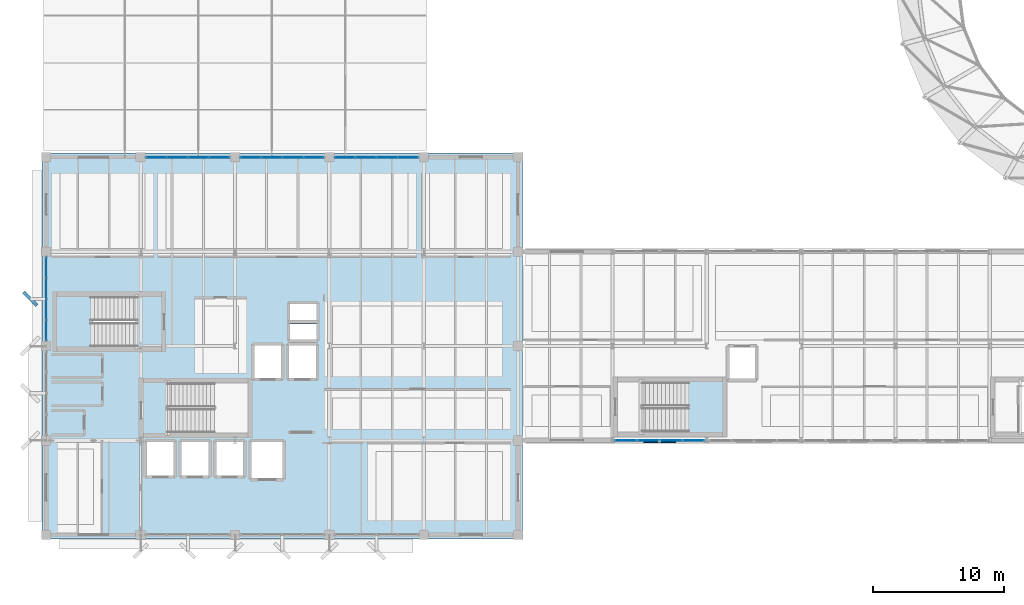
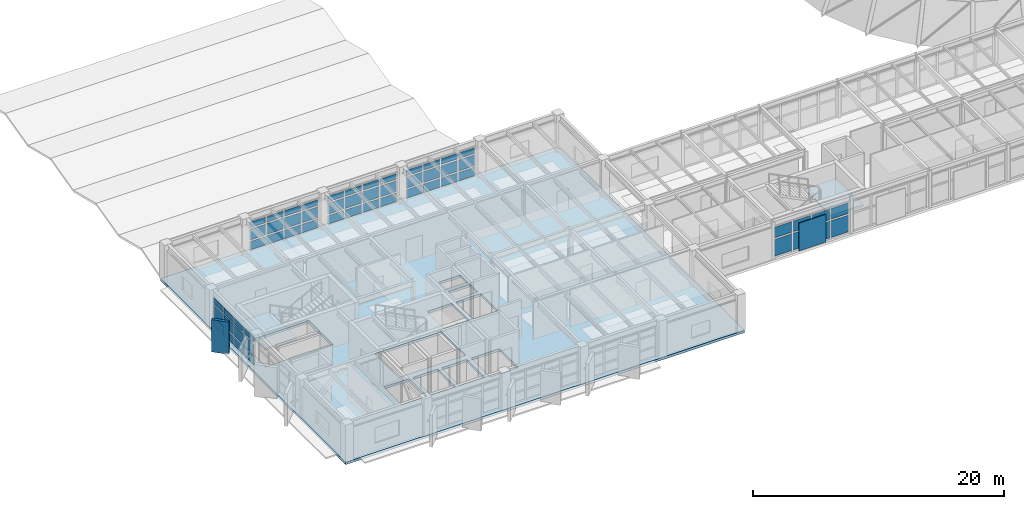
# One storey, part 27 of 48: 58 plates, 3 slabs, 7 elements without a shape of their own.
"""IFC4 building model written with IfcOpenShell, lengths in metres."""

import ifcopenshell
import ifcopenshell.guid

model = None  # the IFC model being written
_history = None  # IfcOwnerHistory: only IFC2X3 demands one
_inside = {}  # id of a spatial element -> (the spatial element, [elements in it])
_under = {}  # id of a project, library or spatial element -> (it, [spatial elements below it])
_declared = {}  # id of a project -> (the project, [libraries it declares])
_typed = {}  # id of a type object -> (the type object, [elements of that type])
_made_of = {}  # id of a material, layer set ... -> (it, [elements and type objects made of it])


def new_model(schema):
    """Start an empty IFC model of exactly this schema.

    Asked for "IFC4X3", IfcOpenShell would pick the latest addendum, in which some entities
    have other attributes; the version numbers below select the first issue.
    IFC2X3 requires an IfcOwnerHistory on every rooted entity: one is made here for all.
    """
    global model, _history
    if schema == "IFC4X3":
        model = ifcopenshell.file(schema_version=(4, 3, 0, 0))
    else:
        model = ifcopenshell.file(schema=schema)
    _inside.clear()
    _under.clear()
    _declared.clear()
    _typed.clear()
    _made_of.clear()
    _history = None
    if model.schema == "IFC2X3":
        org = make("IfcOrganization", Name="unknown")
        user = make(
            "IfcPersonAndOrganization",
            ThePerson=make("IfcPerson", FamilyName="unknown"),
            TheOrganization=org,
        )
        app = make(
            "IfcApplication",
            ApplicationDeveloper=org,
            Version="unknown",
            ApplicationFullName="unknown",
            ApplicationIdentifier="unknown",
        )
        _history = make(
            "IfcOwnerHistory",
            OwningUser=user,
            OwningApplication=app,
            ChangeAction="ADDED",
            CreationDate=0,
        )
    return model


def make(cls, **values):
    """One entity of the class cls with the attributes given. An attribute that is None is left unset."""
    return model.create_entity(
        cls, **{name: value for name, value in values.items() if value is not None}
    )


def rooted(cls, **values):
    """An entity with a GlobalId (a new one), such as an element, a storey or a relation."""
    return make(cls, GlobalId=ifcopenshell.guid.new(), OwnerHistory=_history, **values)


def si_unit(unit_type, name, prefix=None):
    """IfcSIUnit, for example si_unit("LENGTHUNIT", "METRE", prefix="MILLI")."""
    return make("IfcSIUnit", UnitType=unit_type, Prefix=prefix, Name=name)


def assignment(units):
    """IfcUnitAssignment: the units of a project."""
    return None if units is None else make("IfcUnitAssignment", Units=units)


def point(xyz):
    """IfcCartesianPoint."""
    return None if xyz is None else make("IfcCartesianPoint", Coordinates=xyz)


def direction(xyz):
    """IfcDirection."""
    return None if xyz is None else make("IfcDirection", DirectionRatios=xyz)


def frame(location, z_axis=None, x_axis=None):
    """IfcAxis2Placement3D, a coordinate frame: its origin and axes. An axis left out is left unset."""
    return make(
        "IfcAxis2Placement3D",
        Location=point(location),
        Axis=direction(z_axis),
        RefDirection=direction(x_axis),
    )


def frame_2d(location, x_axis=None):
    """IfcAxis2Placement2D, a coordinate frame in the plane: its origin and x axis."""
    return make(
        "IfcAxis2Placement2D", Location=point(location), RefDirection=direction(x_axis)
    )


def origin():
    """The frame at (0, 0, 0) with its axes left unset."""
    return frame((0.0, 0.0, 0.0))


def origin_2d():
    """The frame at (0, 0) in the plane with its x axis left unset."""
    return frame_2d((0.0, 0.0))


def place(relative_to, where):
    """IfcLocalPlacement: puts the frame where relative to a parent placement (None: the world)."""
    return make(
        "IfcLocalPlacement", PlacementRelTo=relative_to, RelativePlacement=where
    )


def context(
    kind, dimensions, precision=None, world=None, true_north=None, identifier=None
):
    """IfcGeometricRepresentationContext, for example the 3D "Model" context."""
    return make(
        "IfcGeometricRepresentationContext",
        ContextIdentifier=identifier,
        ContextType=kind,
        CoordinateSpaceDimension=dimensions,
        Precision=precision,
        WorldCoordinateSystem=world,
        TrueNorth=true_north,
    )


def subcontext(parent, identifier, kind, view, scale=None):
    """IfcGeometricRepresentationSubContext, for example "Body" below "Model"."""
    return make(
        "IfcGeometricRepresentationSubContext",
        ContextIdentifier=identifier,
        ContextType=kind,
        ParentContext=parent,
        TargetScale=scale,
        TargetView=view,
    )


def project(units=None, contexts=None):
    """IfcProject with its units and contexts."""
    return rooted(
        "IfcProject",
        Name="project",
        RepresentationContexts=contexts,
        UnitsInContext=assignment(units),
    )


def spatial(cls, under=None, at=None, **own):
    """A site, building, storey or space (cls), placed at a placement, below another one or the project."""
    s = rooted(cls, ObjectPlacement=at, **own)
    if under is not None:
        _under.setdefault(under.id(), (under, []))[1].append(s)
    return s


def polyline(points):
    """IfcPolyline through the points."""
    return make("IfcPolyline", Points=[point(p) for p in points])


def profile(cls, at=None, kind="AREA", **sizes):
    """A parametric profile (cls). Its sizes go by their IFC names, for example OverallWidth=200.0."""
    return make(cls, ProfileType=kind, Position=at, **sizes)


def rectangle(**sizes):
    """IfcRectangleProfileDef."""
    return profile("IfcRectangleProfileDef", **sizes)


def outline(outer, holes=None, kind="AREA"):
    """IfcArbitraryClosedProfileDef: a profile drawn as a closed curve; with holes, ...WithVoids."""
    if holes is None:
        return make("IfcArbitraryClosedProfileDef", ProfileType=kind, OuterCurve=outer)
    return make(
        "IfcArbitraryProfileDefWithVoids",
        ProfileType=kind,
        OuterCurve=outer,
        InnerCurves=holes,
    )


def extrude(swept, where, along, depth):
    """IfcExtrudedAreaSolid: the profile swept, set in the frame where, extruded along a direction by depth."""
    return make(
        "IfcExtrudedAreaSolid",
        SweptArea=swept,
        Position=where,
        ExtrudedDirection=direction(along),
        Depth=depth,
    )


def shape(context_of_items, identifier, shape_type, items):
    """IfcShapeRepresentation: the items that make up one representation, for example the "Body"."""
    return make(
        "IfcShapeRepresentation",
        ContextOfItems=context_of_items,
        RepresentationIdentifier=identifier,
        RepresentationType=shape_type,
        Items=items,
    )


def material(Name=None, Category=None):
    """IfcMaterial."""
    return make("IfcMaterial", Name=Name, Category=Category)


def layer(
    of_material, thickness, ventilated=None, Name=None, Category=None, Priority=None
):
    """IfcMaterialLayer: one layer of a wall or slab, of a material (None: an air gap)."""
    return make(
        "IfcMaterialLayer",
        Material=of_material,
        LayerThickness=thickness,
        IsVentilated=ventilated,
        Name=Name,
        Category=Category,
        Priority=Priority,
    )


def layer_set(layers, Name=None):
    """IfcMaterialLayerSet."""
    return make("IfcMaterialLayerSet", MaterialLayers=layers, LayerSetName=Name)


def made_of(thing, what):
    """Note that an element or type object is made of a material, layer set ...; save() writes the relation."""
    if what is not None:
        _made_of.setdefault(what.id(), (what, []))[1].append(thing)
    return thing


def type_object(cls, material=None, **own):
    """A type object (cls), such as IfcWallType, which elements share."""
    return made_of(rooted(cls, **own), material)


def element(
    cls,
    number,
    at=None,
    inside=None,
    cuts=None,
    type_object=None,
    material=None,
    context=None,
    identifier="Body",
    shape_type=None,
    held_by="IfcProductDefinitionShape",
    body=None,
    shapes=None,
    **own,
):
    """One element of the class cls, such as IfcWall. Its Tag is "e" and its number.

    at: its placement. inside: the storey or other place that contains it. cuts: it is an
    opening in that element (IfcRelVoidsElement). A single representation is given by context,
    identifier, shape_type and body (its items); several are given by shapes. held_by: the class
    of the entity that holds the representations. save() writes the other relations.
    """
    e = rooted(cls, Tag="e%d" % number, ObjectPlacement=at, **own)
    if body is not None:
        shapes = [shape(context, identifier, shape_type, body)]
    if shapes is not None:
        e.Representation = make(held_by, Representations=shapes)
    if inside is not None:
        _inside.setdefault(inside.id(), (inside, []))[1].append(e)
    if cuts is not None:
        rooted(
            "IfcRelVoidsElement", RelatingBuildingElement=cuts, RelatedOpeningElement=e
        )
    if type_object is not None:
        _typed.setdefault(type_object.id(), (type_object, []))[1].append(e)
    return made_of(e, material)


def aggregate(whole, parts):
    """IfcRelAggregates: a whole, such as a stair, and the parts it consists of."""
    return rooted("IfcRelAggregates", RelatingObject=whole, RelatedObjects=parts)


def save(model, path):
    """Write the relations noted so far, then the file.

    IfcRelAggregates (storeys below a building ...), IfcRelContainedInSpatialStructure (elements
    in a storey), IfcRelDefinesByType, IfcRelAssociatesMaterial and IfcRelDeclares: one each for
    every whole, place, type object, material and project.
    """
    for whole, parts in _under.values():
        aggregate(whole, parts)
    for where, things in _inside.values():
        rooted(
            "IfcRelContainedInSpatialStructure",
            RelatedElements=things,
            RelatingStructure=where,
        )
    for kind, things in _typed.values():
        rooted("IfcRelDefinesByType", RelatedObjects=things, RelatingType=kind)
    for what, things in _made_of.values():
        rooted("IfcRelAssociatesMaterial", RelatedObjects=things, RelatingMaterial=what)
    for by, libraries in _declared.values():
        rooted("IfcRelDeclares", RelatingContext=by, RelatedDefinitions=libraries)
    model.write(path)


model = new_model("IFC4")

# Units and contexts
model_context = context("Model", 3, precision=1e-05, world=origin(), true_north=direction((0.0, 1.0)))
body_context = subcontext(model_context, "Body", "Model", "MODEL_VIEW")
ifc_project = project(units=[si_unit("LENGTHUNIT", "METRE"), si_unit("AREAUNIT", "SQUARE_METRE"), si_unit("VOLUMEUNIT", "CUBIC_METRE"), si_unit("PLANEANGLEUNIT", "RADIAN"), si_unit("MASSUNIT", "GRAM", prefix="KILO")], contexts=[model_context])

# Site, building, storey
site_placement = place(None, origin())
site = spatial("IfcSite", under=ifc_project, at=site_placement, CompositionType="ELEMENT")
building_placement = place(site_placement, origin())
building = spatial("IfcBuilding", under=site, at=building_placement, Name="Kandorven Conservatory and Botanical Research Centre", CompositionType="ELEMENT")
storey_placement = place(building_placement, frame((0.0, 0.0, 13.199951171875)))
storey = spatial("IfcBuildingStorey", under=building, at=storey_placement, Name="L03", CompositionType="ELEMENT", Elevation=13.199951171875)

# Curtain wall, plates
ifc_material_1 = material(Name="Bronze anodised thermally broken aluminium", Category="aluminium")
ifc_layer_1 = layer(ifc_material_1, 0.179931640625)
ifc_layer_set_1 = layer_set([ifc_layer_1], Name="Bronze anodised thermally broken aluminium")
curtain_wall_type = type_object("IfcCurtainWallType", Name="CW_Unitised", PredefinedType="USERDEFINED", material=ifc_layer_set_1)
curtain_wall_1_placement = place(storey_placement, origin())
curtain_wall_1 = element("IfcCurtainWall", 1, at=curtain_wall_1_placement, inside=storey, type_object=curtain_wall_type, Name="Visitor wing unitised curtain wall CW-VIS-S-L03-2", ObjectType="UNITISED GLAZING", PredefinedType="USERDEFINED")
ifc_material_2 = material(Name="Double-glazed solar-control low-E glass", Category="glass")
ifc_layer_2 = layer(ifc_material_2, 0.028076171875)
ifc_layer_set_2 = layer_set([ifc_layer_2], Name="Double-glazed solar-control low-E glass")
plate_type_1 = type_object("IfcPlateType", Name="CW_Panel", PredefinedType="CURTAIN_PANEL", material=ifc_layer_set_2)
plate_1_placement = place(storey_placement, frame((50.2138671875, 13.199951171875, 0.150146484375), z_axis=(0.0, 0.0, 1.0), x_axis=(1.0, 0.0, 0.0)))
plate_1 = element("IfcPlate", 2, at=plate_1_placement, type_object=plate_type_1, Name="CW-01 panel 1.1", PredefinedType="CURTAIN_PANEL", context=body_context, shape_type="SweptSolid", body=[
    extrude(rectangle(XDim=1.617431640625, YDim=0.028076171875, at=origin_2d()), origin(), (0.0, 0.0, 1.0), 1.625),
])
plate_2_placement = place(storey_placement, frame((50.2138671875, 13.199951171875, 1.925048828125), z_axis=(0.0, 0.0, 1.0), x_axis=(1.0, 0.0, 0.0)))
plate_2 = element("IfcPlate", 3, at=plate_2_placement, type_object=plate_type_1, Name="CW-01 panel 1.2", PredefinedType="CURTAIN_PANEL", context=body_context, shape_type="SweptSolid", body=[
    extrude(rectangle(XDim=1.617431640625, YDim=0.028076171875, at=origin_2d()), origin(), (0.0, 0.0, 1.0), 1.02490234375),
])
plate_3_placement = place(storey_placement, frame((51.93115234375, 13.199951171875, 0.150146484375), z_axis=(0.0, 0.0, 1.0), x_axis=(1.0, 0.0, 0.0)))
plate_3 = element("IfcPlate", 4, at=plate_3_placement, type_object=plate_type_1, Name="CW-01 panel 2.1", PredefinedType="CURTAIN_PANEL", context=body_context, shape_type="SweptSolid", body=[
    extrude(rectangle(XDim=1.657470703125, YDim=0.028076171875, at=origin_2d()), origin(), (0.0, 0.0, 1.0), 1.625),
])
plate_4_placement = place(storey_placement, frame((51.93115234375, 13.199951171875, 1.925048828125), z_axis=(0.0, 0.0, 1.0), x_axis=(1.0, 0.0, 0.0)))
plate_4 = element("IfcPlate", 5, at=plate_4_placement, type_object=plate_type_1, Name="CW-01 panel 2.2", PredefinedType="CURTAIN_PANEL", context=body_context, shape_type="SweptSolid", body=[
    extrude(rectangle(XDim=1.657470703125, YDim=0.028076171875, at=origin_2d()), origin(), (0.0, 0.0, 1.0), 1.02490234375),
])
plate_5_placement = place(storey_placement, frame((53.668701171875, 13.199951171875, 0.150146484375), z_axis=(0.0, 0.0, 1.0), x_axis=(1.0, 0.0, 0.0)))
plate_5 = element("IfcPlate", 6, at=plate_5_placement, type_object=plate_type_1, Name="CW-01 panel 3.1", PredefinedType="CURTAIN_PANEL", context=body_context, shape_type="SweptSolid", body=[
    extrude(rectangle(XDim=1.657470703125, YDim=0.028076171875, at=origin_2d()), origin(), (0.0, 0.0, 1.0), 1.625),
])
plate_6_placement = place(storey_placement, frame((53.668701171875, 13.199951171875, 1.925048828125), z_axis=(0.0, 0.0, 1.0), x_axis=(1.0, 0.0, 0.0)))
plate_6 = element("IfcPlate", 7, at=plate_6_placement, type_object=plate_type_1, Name="CW-01 panel 3.2", PredefinedType="CURTAIN_PANEL", context=body_context, shape_type="SweptSolid", body=[
    extrude(rectangle(XDim=1.657470703125, YDim=0.028076171875, at=origin_2d()), origin(), (0.0, 0.0, 1.0), 1.02490234375),
])
plate_7_placement = place(storey_placement, frame((55.38623046875, 13.199951171875, 0.150146484375), z_axis=(0.0, 0.0, 1.0), x_axis=(1.0, 0.0, 0.0)))
plate_7 = element("IfcPlate", 8, at=plate_7_placement, type_object=plate_type_1, Name="CW-01 panel 4.1", PredefinedType="CURTAIN_PANEL", context=body_context, shape_type="SweptSolid", body=[
    extrude(rectangle(XDim=1.617431640625, YDim=0.028076171875, at=origin_2d()), origin(), (0.0, 0.0, 1.0), 1.625),
])
plate_8_placement = place(storey_placement, frame((55.38623046875, 13.199951171875, 1.925048828125), z_axis=(0.0, 0.0, 1.0), x_axis=(1.0, 0.0, 0.0)))
plate_8 = element("IfcPlate", 9, at=plate_8_placement, type_object=plate_type_1, Name="CW-01 panel 4.2", PredefinedType="CURTAIN_PANEL", context=body_context, shape_type="SweptSolid", body=[
    extrude(rectangle(XDim=1.617431640625, YDim=0.028076171875, at=origin_2d()), origin(), (0.0, 0.0, 1.0), 1.02490234375),
])
aggregate(curtain_wall_1, [plate_1, plate_2, plate_3, plate_4, plate_5, plate_6, plate_7, plate_8])

curtain_wall_2_placement = place(storey_placement, origin())
curtain_wall_2 = element("IfcCurtainWall", 10, at=curtain_wall_2_placement, inside=storey, type_object=curtain_wall_type, Name="Tower laboratory curtain wall CW-TWR-N-L03-2", ObjectType="UNITISED GLAZING", PredefinedType="USERDEFINED")
plate_9_placement = place(storey_placement, frame((14.4013671875, 34.800048828125, 0.14990234375), z_axis=(0.0, 0.0, 1.0), x_axis=(1.0, 0.0, 0.0)))
plate_9 = element("IfcPlate", 11, at=plate_9_placement, type_object=plate_type_1, Name="CW-01 panel 1.1", PredefinedType="CURTAIN_PANEL", context=body_context, shape_type="SweptSolid", body=[
    extrude(rectangle(XDim=1.492431640625, YDim=0.028076171875, at=origin_2d()), origin(), (0.0, 0.0, 1.0), 0.824951171875),
])
plate_10_placement = place(storey_placement, frame((14.4013671875, 34.800048828125, 1.125), z_axis=(0.0, 0.0, 1.0), x_axis=(1.0, 0.0, 0.0)))
plate_10 = element("IfcPlate", 12, at=plate_10_placement, type_object=plate_type_1, Name="CW-01 panel 1.2", PredefinedType="CURTAIN_PANEL", context=body_context, shape_type="SweptSolid", body=[
    extrude(rectangle(XDim=1.492431640625, YDim=0.028076171875, at=origin_2d()), origin(), (0.0, 0.0, 1.0), 1.050048828125),
])
plate_11_placement = place(storey_placement, frame((14.4013671875, 34.800048828125, 2.324951171875), z_axis=(0.0, 0.0, 1.0), x_axis=(1.0, 0.0, 0.0)))
plate_11 = element("IfcPlate", 13, at=plate_11_placement, type_object=plate_type_1, Name="CW-01 panel 1.3", PredefinedType="CURTAIN_PANEL", context=body_context, shape_type="SweptSolid", body=[
    extrude(rectangle(XDim=1.492431640625, YDim=0.028076171875, at=origin_2d()), origin(), (0.0, 0.0, 1.0), 0.5400390625),
])
plate_12_placement = place(storey_placement, frame((15.99365234375, 34.800048828125, 0.14990234375), z_axis=(0.0, 0.0, 1.0), x_axis=(1.0, 0.0, 0.0)))
plate_12 = element("IfcPlate", 14, at=plate_12_placement, type_object=plate_type_1, Name="CW-01 panel 2.1", PredefinedType="CURTAIN_PANEL", context=body_context, shape_type="SweptSolid", body=[
    extrude(rectangle(XDim=1.532470703125, YDim=0.028076171875, at=origin_2d()), origin(), (0.0, 0.0, 1.0), 0.824951171875),
])
plate_13_placement = place(storey_placement, frame((15.99365234375, 34.800048828125, 1.125), z_axis=(0.0, 0.0, 1.0), x_axis=(1.0, 0.0, 0.0)))
plate_13 = element("IfcPlate", 15, at=plate_13_placement, type_object=plate_type_1, Name="CW-01 panel 2.2", PredefinedType="CURTAIN_PANEL", context=body_context, shape_type="SweptSolid", body=[
    extrude(rectangle(XDim=1.532470703125, YDim=0.028076171875, at=origin_2d()), origin(), (0.0, 0.0, 1.0), 1.050048828125),
])
plate_14_placement = place(storey_placement, frame((15.99365234375, 34.800048828125, 2.324951171875), z_axis=(0.0, 0.0, 1.0), x_axis=(1.0, 0.0, 0.0)))
plate_14 = element("IfcPlate", 16, at=plate_14_placement, type_object=plate_type_1, Name="CW-01 panel 2.3", PredefinedType="CURTAIN_PANEL", context=body_context, shape_type="SweptSolid", body=[
    extrude(rectangle(XDim=1.532470703125, YDim=0.028076171875, at=origin_2d()), origin(), (0.0, 0.0, 1.0), 0.5400390625),
])
plate_15_placement = place(storey_placement, frame((17.606201171875, 34.800048828125, 0.14990234375), z_axis=(0.0, 0.0, 1.0), x_axis=(1.0, 0.0, 0.0)))
plate_15 = element("IfcPlate", 17, at=plate_15_placement, type_object=plate_type_1, Name="CW-01 panel 3.1", PredefinedType="CURTAIN_PANEL", context=body_context, shape_type="SweptSolid", body=[
    extrude(rectangle(XDim=1.532470703125, YDim=0.028076171875, at=origin_2d()), origin(), (0.0, 0.0, 1.0), 0.824951171875),
])
plate_16_placement = place(storey_placement, frame((17.606201171875, 34.800048828125, 1.125), z_axis=(0.0, 0.0, 1.0), x_axis=(1.0, 0.0, 0.0)))
plate_16 = element("IfcPlate", 18, at=plate_16_placement, type_object=plate_type_1, Name="CW-01 panel 3.2", PredefinedType="CURTAIN_PANEL", context=body_context, shape_type="SweptSolid", body=[
    extrude(rectangle(XDim=1.532470703125, YDim=0.028076171875, at=origin_2d()), origin(), (0.0, 0.0, 1.0), 1.050048828125),
])
plate_17_placement = place(storey_placement, frame((17.606201171875, 34.800048828125, 2.324951171875), z_axis=(0.0, 0.0, 1.0), x_axis=(1.0, 0.0, 0.0)))
plate_17 = element("IfcPlate", 19, at=plate_17_placement, type_object=plate_type_1, Name="CW-01 panel 3.3", PredefinedType="CURTAIN_PANEL", context=body_context, shape_type="SweptSolid", body=[
    extrude(rectangle(XDim=1.532470703125, YDim=0.028076171875, at=origin_2d()), origin(), (0.0, 0.0, 1.0), 0.5400390625),
])
plate_18_placement = place(storey_placement, frame((19.19873046875, 34.800048828125, 0.14990234375), z_axis=(0.0, 0.0, 1.0), x_axis=(1.0, 0.0, 0.0)))
plate_18 = element("IfcPlate", 20, at=plate_18_placement, type_object=plate_type_1, Name="CW-01 panel 4.1", PredefinedType="CURTAIN_PANEL", context=body_context, shape_type="SweptSolid", body=[
    extrude(rectangle(XDim=1.492431640625, YDim=0.028076171875, at=origin_2d()), origin(), (0.0, 0.0, 1.0), 0.824951171875),
])
plate_19_placement = place(storey_placement, frame((19.19873046875, 34.800048828125, 1.125), z_axis=(0.0, 0.0, 1.0), x_axis=(1.0, 0.0, 0.0)))
plate_19 = element("IfcPlate", 21, at=plate_19_placement, type_object=plate_type_1, Name="CW-01 panel 4.2", PredefinedType="CURTAIN_PANEL", context=body_context, shape_type="SweptSolid", body=[
    extrude(rectangle(XDim=1.492431640625, YDim=0.028076171875, at=origin_2d()), origin(), (0.0, 0.0, 1.0), 1.050048828125),
])
plate_20_placement = place(storey_placement, frame((19.19873046875, 34.800048828125, 2.324951171875), z_axis=(0.0, 0.0, 1.0), x_axis=(1.0, 0.0, 0.0)))
plate_20 = element("IfcPlate", 22, at=plate_20_placement, type_object=plate_type_1, Name="CW-01 panel 4.3", PredefinedType="CURTAIN_PANEL", context=body_context, shape_type="SweptSolid", body=[
    extrude(rectangle(XDim=1.492431640625, YDim=0.028076171875, at=origin_2d()), origin(), (0.0, 0.0, 1.0), 0.5400390625),
])
aggregate(curtain_wall_2, [plate_9, plate_10, plate_11, plate_12, plate_13, plate_14, plate_15, plate_16, plate_17, plate_18, plate_19, plate_20])

curtain_wall_3_placement = place(storey_placement, origin())
curtain_wall_3 = element("IfcCurtainWall", 23, at=curtain_wall_3_placement, inside=storey, type_object=curtain_wall_type, Name="Tower laboratory curtain wall CW-TWR-N-L03-3", ObjectType="UNITISED GLAZING", PredefinedType="USERDEFINED")
plate_21_placement = place(storey_placement, frame((21.601318359375, 34.800048828125, 0.14990234375), z_axis=(0.0, 0.0, 1.0), x_axis=(1.0, 0.0, 0.0)))
plate_21 = element("IfcPlate", 24, at=plate_21_placement, type_object=plate_type_1, Name="CW-01 panel 1.1", PredefinedType="CURTAIN_PANEL", context=body_context, shape_type="SweptSolid", body=[
    extrude(rectangle(XDim=1.492431640625, YDim=0.028076171875, at=origin_2d()), origin(), (0.0, 0.0, 1.0), 0.824951171875),
])
plate_22_placement = place(storey_placement, frame((21.601318359375, 34.800048828125, 1.125), z_axis=(0.0, 0.0, 1.0), x_axis=(1.0, 0.0, 0.0)))
plate_22 = element("IfcPlate", 25, at=plate_22_placement, type_object=plate_type_1, Name="CW-01 panel 1.2", PredefinedType="CURTAIN_PANEL", context=body_context, shape_type="SweptSolid", body=[
    extrude(rectangle(XDim=1.492431640625, YDim=0.028076171875, at=origin_2d()), origin(), (0.0, 0.0, 1.0), 1.050048828125),
])
plate_23_placement = place(storey_placement, frame((21.601318359375, 34.800048828125, 2.324951171875), z_axis=(0.0, 0.0, 1.0), x_axis=(1.0, 0.0, 0.0)))
plate_23 = element("IfcPlate", 26, at=plate_23_placement, type_object=plate_type_1, Name="CW-01 panel 1.3", PredefinedType="CURTAIN_PANEL", context=body_context, shape_type="SweptSolid", body=[
    extrude(rectangle(XDim=1.492431640625, YDim=0.028076171875, at=origin_2d()), origin(), (0.0, 0.0, 1.0), 0.5400390625),
])
plate_24_placement = place(storey_placement, frame((23.19384765625, 34.800048828125, 0.14990234375), z_axis=(0.0, 0.0, 1.0), x_axis=(1.0, 0.0, 0.0)))
plate_24 = element("IfcPlate", 27, at=plate_24_placement, type_object=plate_type_1, Name="CW-01 panel 2.1", PredefinedType="CURTAIN_PANEL", context=body_context, shape_type="SweptSolid", body=[
    extrude(rectangle(XDim=1.532470703125, YDim=0.028076171875, at=origin_2d()), origin(), (0.0, 0.0, 1.0), 0.824951171875),
])
plate_25_placement = place(storey_placement, frame((23.19384765625, 34.800048828125, 1.125), z_axis=(0.0, 0.0, 1.0), x_axis=(1.0, 0.0, 0.0)))
plate_25 = element("IfcPlate", 28, at=plate_25_placement, type_object=plate_type_1, Name="CW-01 panel 2.2", PredefinedType="CURTAIN_PANEL", context=body_context, shape_type="SweptSolid", body=[
    extrude(rectangle(XDim=1.532470703125, YDim=0.028076171875, at=origin_2d()), origin(), (0.0, 0.0, 1.0), 1.050048828125),
])
plate_26_placement = place(storey_placement, frame((23.19384765625, 34.800048828125, 2.324951171875), z_axis=(0.0, 0.0, 1.0), x_axis=(1.0, 0.0, 0.0)))
plate_26 = element("IfcPlate", 29, at=plate_26_placement, type_object=plate_type_1, Name="CW-01 panel 2.3", PredefinedType="CURTAIN_PANEL", context=body_context, shape_type="SweptSolid", body=[
    extrude(rectangle(XDim=1.532470703125, YDim=0.028076171875, at=origin_2d()), origin(), (0.0, 0.0, 1.0), 0.5400390625),
])
plate_27_placement = place(storey_placement, frame((24.80615234375, 34.800048828125, 0.14990234375), z_axis=(0.0, 0.0, 1.0), x_axis=(1.0, 0.0, 0.0)))
plate_27 = element("IfcPlate", 30, at=plate_27_placement, type_object=plate_type_1, Name="CW-01 panel 3.1", PredefinedType="CURTAIN_PANEL", context=body_context, shape_type="SweptSolid", body=[
    extrude(rectangle(XDim=1.532470703125, YDim=0.028076171875, at=origin_2d()), origin(), (0.0, 0.0, 1.0), 0.824951171875),
])
plate_28_placement = place(storey_placement, frame((24.80615234375, 34.800048828125, 1.125), z_axis=(0.0, 0.0, 1.0), x_axis=(1.0, 0.0, 0.0)))
plate_28 = element("IfcPlate", 31, at=plate_28_placement, type_object=plate_type_1, Name="CW-01 panel 3.2", PredefinedType="CURTAIN_PANEL", context=body_context, shape_type="SweptSolid", body=[
    extrude(rectangle(XDim=1.532470703125, YDim=0.028076171875, at=origin_2d()), origin(), (0.0, 0.0, 1.0), 1.050048828125),
])
plate_29_placement = place(storey_placement, frame((24.80615234375, 34.800048828125, 2.324951171875), z_axis=(0.0, 0.0, 1.0), x_axis=(1.0, 0.0, 0.0)))
plate_29 = element("IfcPlate", 32, at=plate_29_placement, type_object=plate_type_1, Name="CW-01 panel 3.3", PredefinedType="CURTAIN_PANEL", context=body_context, shape_type="SweptSolid", body=[
    extrude(rectangle(XDim=1.532470703125, YDim=0.028076171875, at=origin_2d()), origin(), (0.0, 0.0, 1.0), 0.5400390625),
])
plate_30_placement = place(storey_placement, frame((26.398681640625, 34.800048828125, 0.14990234375), z_axis=(0.0, 0.0, 1.0), x_axis=(1.0, 0.0, 0.0)))
plate_30 = element("IfcPlate", 33, at=plate_30_placement, type_object=plate_type_1, Name="CW-01 panel 4.1", PredefinedType="CURTAIN_PANEL", context=body_context, shape_type="SweptSolid", body=[
    extrude(rectangle(XDim=1.492431640625, YDim=0.028076171875, at=origin_2d()), origin(), (0.0, 0.0, 1.0), 0.824951171875),
])
plate_31_placement = place(storey_placement, frame((26.398681640625, 34.800048828125, 1.125), z_axis=(0.0, 0.0, 1.0), x_axis=(1.0, 0.0, 0.0)))
plate_31 = element("IfcPlate", 34, at=plate_31_placement, type_object=plate_type_1, Name="CW-01 panel 4.2", PredefinedType="CURTAIN_PANEL", context=body_context, shape_type="SweptSolid", body=[
    extrude(rectangle(XDim=1.492431640625, YDim=0.028076171875, at=origin_2d()), origin(), (0.0, 0.0, 1.0), 1.050048828125),
])
plate_32_placement = place(storey_placement, frame((26.398681640625, 34.800048828125, 2.324951171875), z_axis=(0.0, 0.0, 1.0), x_axis=(1.0, 0.0, 0.0)))
plate_32 = element("IfcPlate", 35, at=plate_32_placement, type_object=plate_type_1, Name="CW-01 panel 4.3", PredefinedType="CURTAIN_PANEL", context=body_context, shape_type="SweptSolid", body=[
    extrude(rectangle(XDim=1.492431640625, YDim=0.028076171875, at=origin_2d()), origin(), (0.0, 0.0, 1.0), 0.5400390625),
])
aggregate(curtain_wall_3, [plate_21, plate_22, plate_23, plate_24, plate_25, plate_26, plate_27, plate_28, plate_29, plate_30, plate_31, plate_32])

curtain_wall_4_placement = place(storey_placement, origin())
curtain_wall_4 = element("IfcCurtainWall", 36, at=curtain_wall_4_placement, inside=storey, type_object=curtain_wall_type, Name="Tower laboratory curtain wall CW-TWR-N-L03-4", ObjectType="UNITISED GLAZING", PredefinedType="USERDEFINED")
plate_33_placement = place(storey_placement, frame((28.80126953125, 34.800048828125, 0.14990234375), z_axis=(0.0, 0.0, 1.0), x_axis=(1.0, 0.0, 0.0)))
plate_33 = element("IfcPlate", 37, at=plate_33_placement, type_object=plate_type_1, Name="CW-01 panel 1.1", PredefinedType="CURTAIN_PANEL", context=body_context, shape_type="SweptSolid", body=[
    extrude(rectangle(XDim=1.492431640625, YDim=0.028076171875, at=origin_2d()), origin(), (0.0, 0.0, 1.0), 0.824951171875),
])
plate_34_placement = place(storey_placement, frame((28.80126953125, 34.800048828125, 1.125), z_axis=(0.0, 0.0, 1.0), x_axis=(1.0, 0.0, 0.0)))
plate_34 = element("IfcPlate", 38, at=plate_34_placement, type_object=plate_type_1, Name="CW-01 panel 1.2", PredefinedType="CURTAIN_PANEL", context=body_context, shape_type="SweptSolid", body=[
    extrude(rectangle(XDim=1.492431640625, YDim=0.028076171875, at=origin_2d()), origin(), (0.0, 0.0, 1.0), 1.050048828125),
])
plate_35_placement = place(storey_placement, frame((28.80126953125, 34.800048828125, 2.324951171875), z_axis=(0.0, 0.0, 1.0), x_axis=(1.0, 0.0, 0.0)))
plate_35 = element("IfcPlate", 39, at=plate_35_placement, type_object=plate_type_1, Name="CW-01 panel 1.3", PredefinedType="CURTAIN_PANEL", context=body_context, shape_type="SweptSolid", body=[
    extrude(rectangle(XDim=1.492431640625, YDim=0.028076171875, at=origin_2d()), origin(), (0.0, 0.0, 1.0), 0.5400390625),
])
plate_36_placement = place(storey_placement, frame((30.393798828125, 34.800048828125, 0.14990234375), z_axis=(0.0, 0.0, 1.0), x_axis=(1.0, 0.0, 0.0)))
plate_36 = element("IfcPlate", 40, at=plate_36_placement, type_object=plate_type_1, Name="CW-01 panel 2.1", PredefinedType="CURTAIN_PANEL", context=body_context, shape_type="SweptSolid", body=[
    extrude(rectangle(XDim=1.532470703125, YDim=0.028076171875, at=origin_2d()), origin(), (0.0, 0.0, 1.0), 0.824951171875),
])
plate_37_placement = place(storey_placement, frame((30.393798828125, 34.800048828125, 1.125), z_axis=(0.0, 0.0, 1.0), x_axis=(1.0, 0.0, 0.0)))
plate_37 = element("IfcPlate", 41, at=plate_37_placement, type_object=plate_type_1, Name="CW-01 panel 2.2", PredefinedType="CURTAIN_PANEL", context=body_context, shape_type="SweptSolid", body=[
    extrude(rectangle(XDim=1.532470703125, YDim=0.028076171875, at=origin_2d()), origin(), (0.0, 0.0, 1.0), 1.050048828125),
])
plate_38_placement = place(storey_placement, frame((30.393798828125, 34.800048828125, 2.324951171875), z_axis=(0.0, 0.0, 1.0), x_axis=(1.0, 0.0, 0.0)))
plate_38 = element("IfcPlate", 42, at=plate_38_placement, type_object=plate_type_1, Name="CW-01 panel 2.3", PredefinedType="CURTAIN_PANEL", context=body_context, shape_type="SweptSolid", body=[
    extrude(rectangle(XDim=1.532470703125, YDim=0.028076171875, at=origin_2d()), origin(), (0.0, 0.0, 1.0), 0.5400390625),
])
plate_39_placement = place(storey_placement, frame((32.00634765625, 34.800048828125, 0.14990234375), z_axis=(0.0, 0.0, 1.0), x_axis=(1.0, 0.0, 0.0)))
plate_39 = element("IfcPlate", 43, at=plate_39_placement, type_object=plate_type_1, Name="CW-01 panel 3.1", PredefinedType="CURTAIN_PANEL", context=body_context, shape_type="SweptSolid", body=[
    extrude(rectangle(XDim=1.532470703125, YDim=0.028076171875, at=origin_2d()), origin(), (0.0, 0.0, 1.0), 0.824951171875),
])
plate_40_placement = place(storey_placement, frame((32.00634765625, 34.800048828125, 1.125), z_axis=(0.0, 0.0, 1.0), x_axis=(1.0, 0.0, 0.0)))
plate_40 = element("IfcPlate", 44, at=plate_40_placement, type_object=plate_type_1, Name="CW-01 panel 3.2", PredefinedType="CURTAIN_PANEL", context=body_context, shape_type="SweptSolid", body=[
    extrude(rectangle(XDim=1.532470703125, YDim=0.028076171875, at=origin_2d()), origin(), (0.0, 0.0, 1.0), 1.050048828125),
])
plate_41_placement = place(storey_placement, frame((32.00634765625, 34.800048828125, 2.324951171875), z_axis=(0.0, 0.0, 1.0), x_axis=(1.0, 0.0, 0.0)))
plate_41 = element("IfcPlate", 45, at=plate_41_placement, type_object=plate_type_1, Name="CW-01 panel 3.3", PredefinedType="CURTAIN_PANEL", context=body_context, shape_type="SweptSolid", body=[
    extrude(rectangle(XDim=1.532470703125, YDim=0.028076171875, at=origin_2d()), origin(), (0.0, 0.0, 1.0), 0.5400390625),
])
plate_42_placement = place(storey_placement, frame((33.5986328125, 34.800048828125, 0.14990234375), z_axis=(0.0, 0.0, 1.0), x_axis=(1.0, 0.0, 0.0)))
plate_42 = element("IfcPlate", 46, at=plate_42_placement, type_object=plate_type_1, Name="CW-01 panel 4.1", PredefinedType="CURTAIN_PANEL", context=body_context, shape_type="SweptSolid", body=[
    extrude(rectangle(XDim=1.492431640625, YDim=0.028076171875, at=origin_2d()), origin(), (0.0, 0.0, 1.0), 0.824951171875),
])
plate_43_placement = place(storey_placement, frame((33.5986328125, 34.800048828125, 1.125), z_axis=(0.0, 0.0, 1.0), x_axis=(1.0, 0.0, 0.0)))
plate_43 = element("IfcPlate", 47, at=plate_43_placement, type_object=plate_type_1, Name="CW-01 panel 4.2", PredefinedType="CURTAIN_PANEL", context=body_context, shape_type="SweptSolid", body=[
    extrude(rectangle(XDim=1.492431640625, YDim=0.028076171875, at=origin_2d()), origin(), (0.0, 0.0, 1.0), 1.050048828125),
])
plate_44_placement = place(storey_placement, frame((33.5986328125, 34.800048828125, 2.324951171875), z_axis=(0.0, 0.0, 1.0), x_axis=(1.0, 0.0, 0.0)))
plate_44 = element("IfcPlate", 48, at=plate_44_placement, type_object=plate_type_1, Name="CW-01 panel 4.3", PredefinedType="CURTAIN_PANEL", context=body_context, shape_type="SweptSolid", body=[
    extrude(rectangle(XDim=1.492431640625, YDim=0.028076171875, at=origin_2d()), origin(), (0.0, 0.0, 1.0), 0.5400390625),
])
aggregate(curtain_wall_4, [plate_33, plate_34, plate_35, plate_36, plate_37, plate_38, plate_39, plate_40, plate_41, plate_42, plate_43, plate_44])

curtain_wall_5_placement = place(storey_placement, origin())
curtain_wall_5 = element("IfcCurtainWall", 49, at=curtain_wall_5_placement, inside=storey, type_object=curtain_wall_type, Name="Tower laboratory curtain wall CW-TWR-W-L03-3", ObjectType="UNITISED GLAZING", PredefinedType="USERDEFINED")
plate_45_placement = place(storey_placement, frame((6.0, 21.601318359375, 0.14990234375), z_axis=(0.0, 0.0, 1.0), x_axis=(0.0, 1.0, 0.0)))
plate_45 = element("IfcPlate", 50, at=plate_45_placement, type_object=plate_type_1, Name="CW-01 panel 1.1", PredefinedType="CURTAIN_PANEL", context=body_context, shape_type="SweptSolid", body=[
    extrude(rectangle(XDim=1.492431640625, YDim=0.028076171875, at=origin_2d()), origin(), (0.0, 0.0, 1.0), 0.824951171875),
])
plate_46_placement = place(storey_placement, frame((6.0, 21.601318359375, 1.125), z_axis=(0.0, 0.0, 1.0), x_axis=(0.0, 1.0, 0.0)))
plate_46 = element("IfcPlate", 51, at=plate_46_placement, type_object=plate_type_1, Name="CW-01 panel 1.2", PredefinedType="CURTAIN_PANEL", context=body_context, shape_type="SweptSolid", body=[
    extrude(rectangle(XDim=1.492431640625, YDim=0.028076171875, at=origin_2d()), origin(), (0.0, 0.0, 1.0), 1.050048828125),
])
plate_47_placement = place(storey_placement, frame((6.0, 21.601318359375, 2.324951171875), z_axis=(0.0, 0.0, 1.0), x_axis=(0.0, 1.0, 0.0)))
plate_47 = element("IfcPlate", 52, at=plate_47_placement, type_object=plate_type_1, Name="CW-01 panel 1.3", PredefinedType="CURTAIN_PANEL", context=body_context, shape_type="SweptSolid", body=[
    extrude(rectangle(XDim=1.492431640625, YDim=0.028076171875, at=origin_2d()), origin(), (0.0, 0.0, 1.0), 0.5400390625),
])
plate_48_placement = place(storey_placement, frame((6.0, 23.19384765625, 0.14990234375), z_axis=(0.0, 0.0, 1.0), x_axis=(0.0, 1.0, 0.0)))
plate_48 = element("IfcPlate", 53, at=plate_48_placement, type_object=plate_type_1, Name="CW-01 panel 2.1", PredefinedType="CURTAIN_PANEL", context=body_context, shape_type="SweptSolid", body=[
    extrude(rectangle(XDim=1.532470703125, YDim=0.028076171875, at=origin_2d()), origin(), (0.0, 0.0, 1.0), 0.824951171875),
])
plate_49_placement = place(storey_placement, frame((6.0, 23.19384765625, 1.125), z_axis=(0.0, 0.0, 1.0), x_axis=(0.0, 1.0, 0.0)))
plate_49 = element("IfcPlate", 54, at=plate_49_placement, type_object=plate_type_1, Name="CW-01 panel 2.2", PredefinedType="CURTAIN_PANEL", context=body_context, shape_type="SweptSolid", body=[
    extrude(rectangle(XDim=1.532470703125, YDim=0.028076171875, at=origin_2d()), origin(), (0.0, 0.0, 1.0), 1.050048828125),
])
plate_50_placement = place(storey_placement, frame((6.0, 23.19384765625, 2.324951171875), z_axis=(0.0, 0.0, 1.0), x_axis=(0.0, 1.0, 0.0)))
plate_50 = element("IfcPlate", 55, at=plate_50_placement, type_object=plate_type_1, Name="CW-01 panel 2.3", PredefinedType="CURTAIN_PANEL", context=body_context, shape_type="SweptSolid", body=[
    extrude(rectangle(XDim=1.532470703125, YDim=0.028076171875, at=origin_2d()), origin(), (0.0, 0.0, 1.0), 0.5400390625),
])
plate_51_placement = place(storey_placement, frame((6.0, 24.80615234375, 0.14990234375), z_axis=(0.0, 0.0, 1.0), x_axis=(0.0, 1.0, 0.0)))
plate_51 = element("IfcPlate", 56, at=plate_51_placement, type_object=plate_type_1, Name="CW-01 panel 3.1", PredefinedType="CURTAIN_PANEL", context=body_context, shape_type="SweptSolid", body=[
    extrude(rectangle(XDim=1.532470703125, YDim=0.028076171875, at=origin_2d()), origin(), (0.0, 0.0, 1.0), 0.824951171875),
])
plate_52_placement = place(storey_placement, frame((6.0, 24.80615234375, 1.125), z_axis=(0.0, 0.0, 1.0), x_axis=(0.0, 1.0, 0.0)))
plate_52 = element("IfcPlate", 57, at=plate_52_placement, type_object=plate_type_1, Name="CW-01 panel 3.2", PredefinedType="CURTAIN_PANEL", context=body_context, shape_type="SweptSolid", body=[
    extrude(rectangle(XDim=1.532470703125, YDim=0.028076171875, at=origin_2d()), origin(), (0.0, 0.0, 1.0), 1.050048828125),
])
plate_53_placement = place(storey_placement, frame((6.0, 24.80615234375, 2.324951171875), z_axis=(0.0, 0.0, 1.0), x_axis=(0.0, 1.0, 0.0)))
plate_53 = element("IfcPlate", 58, at=plate_53_placement, type_object=plate_type_1, Name="CW-01 panel 3.3", PredefinedType="CURTAIN_PANEL", context=body_context, shape_type="SweptSolid", body=[
    extrude(rectangle(XDim=1.532470703125, YDim=0.028076171875, at=origin_2d()), origin(), (0.0, 0.0, 1.0), 0.5400390625),
])
plate_54_placement = place(storey_placement, frame((6.0, 26.398681640625, 0.14990234375), z_axis=(0.0, 0.0, 1.0), x_axis=(0.0, 1.0, 0.0)))
plate_54 = element("IfcPlate", 59, at=plate_54_placement, type_object=plate_type_1, Name="CW-01 panel 4.1", PredefinedType="CURTAIN_PANEL", context=body_context, shape_type="SweptSolid", body=[
    extrude(rectangle(XDim=1.492431640625, YDim=0.028076171875, at=origin_2d()), origin(), (0.0, 0.0, 1.0), 0.824951171875),
])
plate_55_placement = place(storey_placement, frame((6.0, 26.398681640625, 1.125), z_axis=(0.0, 0.0, 1.0), x_axis=(0.0, 1.0, 0.0)))
plate_55 = element("IfcPlate", 60, at=plate_55_placement, type_object=plate_type_1, Name="CW-01 panel 4.2", PredefinedType="CURTAIN_PANEL", context=body_context, shape_type="SweptSolid", body=[
    extrude(rectangle(XDim=1.492431640625, YDim=0.028076171875, at=origin_2d()), origin(), (0.0, 0.0, 1.0), 1.050048828125),
])
plate_56_placement = place(storey_placement, frame((6.0, 26.398681640625, 2.324951171875), z_axis=(0.0, 0.0, 1.0), x_axis=(0.0, 1.0, 0.0)))
plate_56 = element("IfcPlate", 61, at=plate_56_placement, type_object=plate_type_1, Name="CW-01 panel 4.3", PredefinedType="CURTAIN_PANEL", context=body_context, shape_type="SweptSolid", body=[
    extrude(rectangle(XDim=1.492431640625, YDim=0.028076171875, at=origin_2d()), origin(), (0.0, 0.0, 1.0), 0.5400390625),
])
aggregate(curtain_wall_5, [plate_45, plate_46, plate_47, plate_48, plate_49, plate_50, plate_51, plate_52, plate_53, plate_54, plate_55, plate_56])

# Plates
ifc_material_3 = material(Name="Precast concrete C40/50 (M50)", Category="concrete")
ifc_layer_3 = layer(ifc_material_3, 0.241943359375)
ifc_layer_set_3 = layer_set([ifc_layer_3], Name="Precast concrete C40/50 (M50)")
plate_type_2 = type_object("IfcPlateType", Name="Fin_BF-11", PredefinedType="USERDEFINED", material=ifc_layer_set_3)
plate_57_placement = place(storey_placement, frame((4.780029296875, 24.0, -0.1201171875), z_axis=(0.0, 0.0, 1.0), x_axis=(-0.707106781187, 0.707106781187, 0.0)))
element("IfcPlate", 62, at=plate_57_placement, inside=storey, type_object=plate_type_2, Name="Sculpted board-marked concrete brise-soleil fin BF-11", ObjectType="SOLAR FIN", PredefinedType="USERDEFINED", context=body_context, shape_type="SweptSolid", body=[
    extrude(rectangle(XDim=1.429931640625, YDim=0.241943359375, at=origin_2d()), origin(), (0.0, 0.0, 1.0), 3.135009765625),
])
ifc_material_4 = material(Name="Precast concrete C40/50 (M50)", Category="concrete")
ifc_layer_4 = layer(ifc_material_4, 0.0859375)
ifc_layer_set_4 = layer_set([ifc_layer_4], Name="Precast concrete C40/50 (M50)")
plate_type_3 = type_object("IfcPlateType", Name="Jali_JP-18", PredefinedType="USERDEFINED", material=ifc_layer_set_4)
plate_58_placement = place(storey_placement, frame((52.800048828125, 13.06005859375, 0.0), z_axis=(0.0, 0.0, 1.0), x_axis=(1.0, 0.0, 0.0)))
element("IfcPlate", 63, at=plate_58_placement, inside=storey, type_object=plate_type_3, Name="Perforated precast concrete jali screen JP-18", ObjectType="JALI SCREEN", PredefinedType="USERDEFINED", context=body_context, shape_type="SweptSolid", body=[
    extrude(rectangle(XDim=2.449951171875, YDim=0.0859375, at=origin_2d()), origin(), (0.0, 0.0, 1.0), 2.699951171875),
])

# Slab
ifc_material_5 = material(Name="Concrete C32/40 (M40)", Category="concrete")
ifc_layer_5 = layer(ifc_material_5, 0.239990234375)
ifc_layer_set_5 = layer_set([ifc_layer_5], Name="Concrete C32/40 (M40)")
slab_type_1 = type_object("IfcSlabType", Name="Slab_SL-07", PredefinedType="FLOOR", material=ifc_layer_set_5)
slab_1_placement = place(storey_placement, frame((0.0, 0.0, -0.239990234375)))
element("IfcSlab", 64, at=slab_1_placement, inside=storey, type_object=slab_type_1, Name="Tower floor slab L03", PredefinedType="FLOOR", context=body_context, shape_type="SweptSolid", body=[
    extrude(outline(polyline([(5.679931640625, 5.679931640625), (42.320068359375, 5.679931640625), (42.320068359375, 34.919921875), (42.1201171875, 34.919921875), (42.1201171875, 35.1201171875), (5.679931640625, 35.1201171875), (5.679931640625, 5.679931640625)]), holes=[polyline([(15.239990234375, 13.780029296875), (21.3798828125, 13.780029296875), (21.3798828125, 17.570068359375), (15.239990234375, 17.570068359375), (15.239990234375, 13.780029296875)]), polyline([(12.9599609375, 24.14990234375), (6.820068359375, 24.14990234375), (6.820068359375, 20.360107421875), (12.9599609375, 20.360107421875), (12.9599609375, 24.14990234375)]), polyline([(21.75, 17.85009765625), (24.050048828125, 17.85009765625), (24.050048828125, 20.550048828125), (21.75, 20.550048828125), (21.75, 17.85009765625)]), polyline([(24.39990234375, 17.85009765625), (26.699951171875, 17.85009765625), (26.699951171875, 20.550048828125), (24.39990234375, 20.550048828125), (24.39990234375, 17.85009765625)]), polyline([(13.550048828125, 10.39990234375), (15.85009765625, 10.39990234375), (15.85009765625, 13.199951171875), (13.550048828125, 13.199951171875), (13.550048828125, 10.39990234375)]), polyline([(16.199951171875, 10.39990234375), (18.5, 10.39990234375), (18.5, 13.199951171875), (16.199951171875, 13.199951171875), (16.199951171875, 10.39990234375)]), polyline([(18.85009765625, 10.39990234375), (21.14990234375, 10.39990234375), (21.14990234375, 13.199951171875), (18.85009765625, 13.199951171875), (18.85009765625, 10.39990234375)]), polyline([(21.550048828125, 10.199951171875), (24.14990234375, 10.199951171875), (24.14990234375, 13.199951171875), (21.550048828125, 13.199951171875), (21.550048828125, 10.199951171875)]), polyline([(24.60009765625, 20.89990234375), (26.60009765625, 20.89990234375), (26.60009765625, 22.10009765625), (24.60009765625, 22.10009765625), (24.60009765625, 20.89990234375)]), polyline([(24.60009765625, 22.39990234375), (26.60009765625, 22.39990234375), (26.60009765625, 23.60009765625), (24.60009765625, 23.60009765625), (24.60009765625, 22.39990234375)])]), origin(), (0.0, 0.0, 1.0), 0.239990234375),
])

# Stair, slab
ifc_material_6 = material(Name="Concrete C32/40 (M40)", Category="concrete")
stair_type = type_object("IfcStairType", Name="Stair_1820", PredefinedType="HALF_TURN_STAIR", material=ifc_material_6)
stair_1_placement = place(storey_placement, origin())
stair_1 = element("IfcStair", 65, at=stair_1_placement, inside=storey, type_object=stair_type, Name="L03 Tower Fire Stair ST-T2", PredefinedType="HALF_TURN_STAIR")
ifc_material_7 = material(Name="Concrete C32/40 (M40)", Category="concrete")
ifc_layer_6 = layer(ifc_material_7, 0.199951171875)
ifc_layer_set_6 = layer_set([ifc_layer_6], Name="Concrete C32/40 (M40)")
slab_type_2 = type_object("IfcSlabType", Name="StairLanding_200", PredefinedType="LANDING", material=ifc_layer_set_6)
slab_2_placement = place(storey_placement, frame((0.0, 0.0, 1.75)))
slab_2 = element("IfcSlab", 66, at=slab_2_placement, type_object=slab_type_2, Name="ST-T2 landing 1", PredefinedType="LANDING", context=body_context, shape_type="SweptSolid", body=[
    extrude(outline(polyline([(9.54052734375, 24.389892578125), (6.580078125, 24.389892578125), (6.580078125, 20.1201171875), (9.54052734375, 20.1201171875), (9.54052734375, 24.389892578125)])), origin(), (0.0, 0.0, 1.0), 0.199951171875),
])
aggregate(stair_1, [slab_2])

stair_2_placement = place(storey_placement, origin())
stair_2 = element("IfcStair", 67, at=stair_2_placement, inside=storey, type_object=stair_type, Name="L03 Visitor Wing Stair ST-V3A", PredefinedType="HALF_TURN_STAIR")
slab_3_placement = place(storey_placement, frame((0.0, 0.0, 1.75)))
slab_3 = element("IfcSlab", 68, at=slab_3_placement, type_object=slab_type_2, Name="ST-V3A landing 1", PredefinedType="LANDING", context=body_context, shape_type="SweptSolid", body=[
    extrude(outline(polyline([(54.859619140625, 13.610107421875), (57.820068359375, 13.610107421875), (57.820068359375, 17.8798828125), (54.859619140625, 17.8798828125), (54.859619140625, 13.610107421875)])), origin(), (0.0, 0.0, 1.0), 0.199951171875),
])
aggregate(stair_2, [slab_3])

save(model, "model.ifc")
